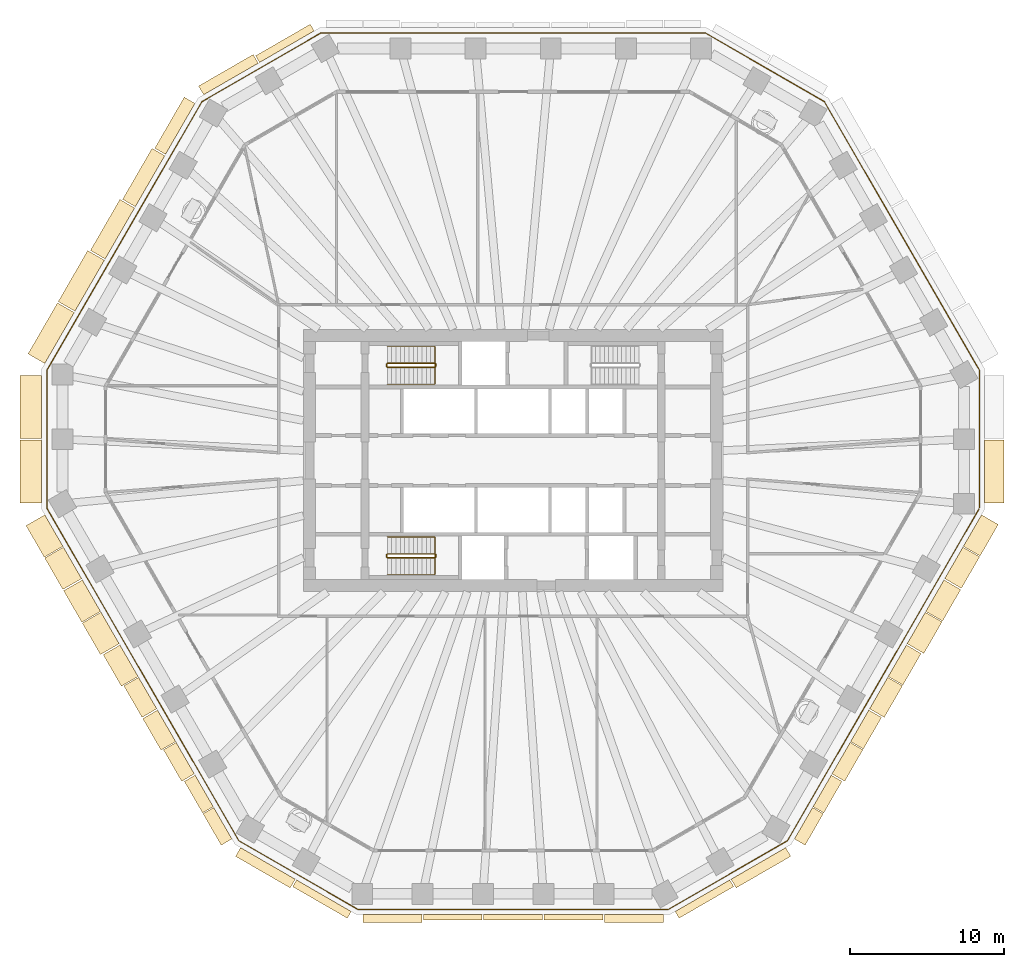
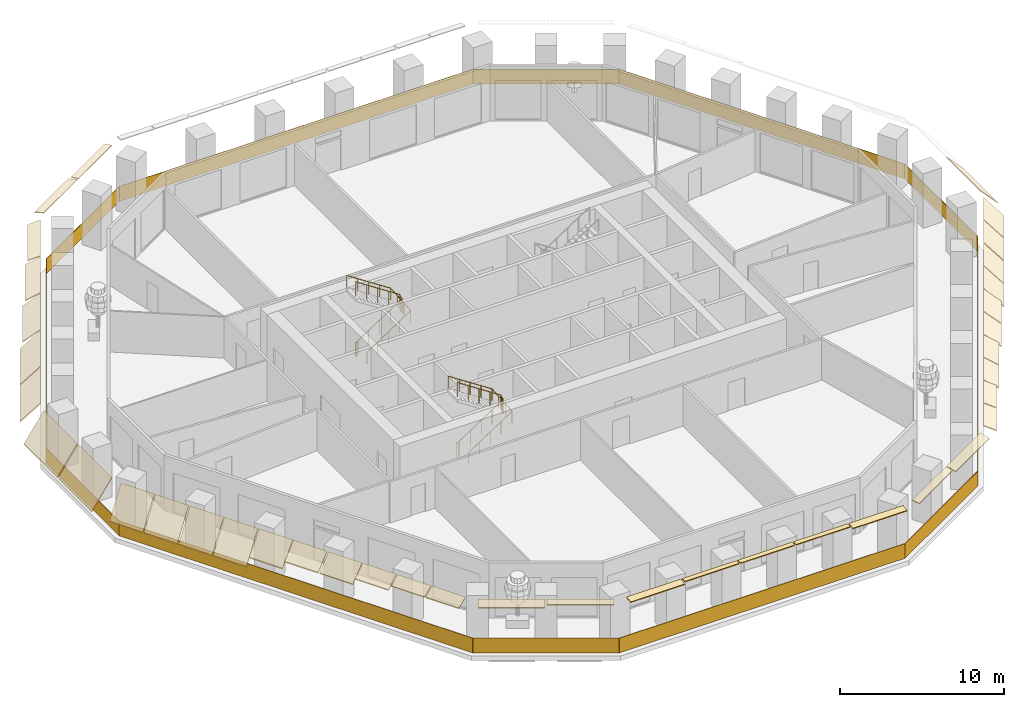
# One storey, part 9 of 12: 39 coverings, 5 railings.
"""IFC4 building model written with IfcOpenShell, lengths in metres."""

from ifc_helpers import new_model, si_unit, direction, frame, origin, origin_2d, place, context, subcontext, project, spatial, polyline, rectangle, circle, outline, extrude, material, layer, layer_set, type_object, element, save


model = new_model("IFC4")

# Units and contexts
model_context = context("Model", 3, precision=1e-05, world=origin(), true_north=direction((0.0, 1.0)))
body_context = subcontext(model_context, "Body", "Model", "MODEL_VIEW")
ifc_project = project(units=[si_unit("LENGTHUNIT", "METRE"), si_unit("AREAUNIT", "SQUARE_METRE"), si_unit("VOLUMEUNIT", "CUBIC_METRE"), si_unit("PLANEANGLEUNIT", "RADIAN"), si_unit("MASSUNIT", "GRAM", prefix="KILO")], contexts=[model_context])

# Site, building, storey
site_placement = place(None, origin())
site = spatial("IfcSite", under=ifc_project, at=site_placement, CompositionType="ELEMENT")
building_placement = place(site_placement, origin())
building = spatial("IfcBuilding", under=site, at=building_placement, Name="Frailejon Research Tower", CompositionType="ELEMENT")
storey_placement = place(building_placement, frame((0.0, 0.0, 130.800048828125)))
storey = spatial("IfcBuildingStorey", under=building, at=storey_placement, Name="L28", CompositionType="ELEMENT", Elevation=130.800048828125)

# Coverings
ifc_material_1 = material(Name="Precast concrete C50/60", Category="concrete")
ifc_layer_1 = layer(ifc_material_1, 0.06005859375)
ifc_layer_set_1 = layer_set([ifc_layer_1], Name="Brim blade depth 1100")
covering_type_1 = type_object("IfcCoveringType", Name="Brim blade depth 1100", PredefinedType="CLADDING", material=ifc_layer_set_1)
covering_1_placement = place(storey_placement, frame((-26.442626953125, 13.0654296875, 4.25), z_axis=(0.500001217064, 0.866024701111, 0.0), x_axis=(-0.866024701111, 0.500001217064, 0.0)))
element("IfcCovering", 1, at=covering_1_placement, inside=storey, type_object=covering_type_1, Name="Brim blade L28", PredefinedType="CLADDING", context=body_context, shape_type="SweptSolid", body=[
    extrude(outline(polyline([(0.0, -0.078369140625), (1.10009765625, -1.001220703125), (1.10009765625, -0.923095703125), (0.0, 0.0), (0.0, -0.078369140625)])), origin(), (0.0, 0.0, 1.0), 3.8125),
])
for number, where, z_axis, x_axis, name in (
    (2, (-23.099365234375, -16.0908203125, 4.25), (-0.50000563012, 0.866022153209, 0.0), (-0.866022153209, -0.50000563012, 0.0), "Brim blade L28"),
    (3, (-21.87158203125, -18.217041015625, 4.25), (-0.499996739973, 0.866027285954, 0.0), (-0.866027285954, -0.499996739973, 0.0), "Brim blade L28"),
    (4, (24.277099609375, -14.051025390625, 4.25), (-0.50000563012, -0.866022153209, 0.0), (0.866022153209, -0.50000563012, 0.0), "Brim blade L28"),
    (5, (25.484619140625, -11.959228515625, 4.25), (-0.50000563012, -0.866022153209, 0.0), (0.866022153209, -0.50000563012, 0.0), "Brim blade L28"),
):
    element("IfcCovering", number, at=place(storey_placement, frame(where, z_axis=z_axis, x_axis=x_axis)), inside=storey, type_object=covering_type_1, Name=name, PredefinedType="CLADDING", context=body_context, shape_type="SweptSolid", body=[
        extrude(outline(polyline([(0.0, -0.078369140625), (1.10009765625, -1.001220703125), (1.10009765625, -0.923095703125), (0.0, 0.0), (0.0, -0.078369140625)])), origin(), (0.0, 0.0, 1.0), 2.355224609375),
    ])
ifc_material_2 = material(Name="Precast concrete C50/60", Category="concrete")
ifc_layer_2 = layer(ifc_material_2, 0.06005859375)
ifc_layer_set_2 = layer_set([ifc_layer_2], Name="Brim blade depth 1250")
covering_type_2 = type_object("IfcCoveringType", Name="Brim blade depth 1250", PredefinedType="CLADDING", material=ifc_layer_set_2)
covering_2_placement = place(storey_placement, frame((30.56103515625, 1.332763671875, 4.25), z_axis=(0.0, -1.0, 0.0), x_axis=(1.0, 0.0, 0.0)))
element("IfcCovering", 6, at=covering_2_placement, inside=storey, type_object=covering_type_2, Name="Brim blade L28", PredefinedType="CLADDING", context=body_context, shape_type="SweptSolid", body=[
    extrude(outline(polyline([(0.0, -0.0888671875), (1.25, -1.452880859375), (1.25, -1.364013671875), (0.0, 0.0), (0.0, -0.0888671875)])), origin(), (0.0, 0.0, 1.0), 4.087646484375),
])
covering_3_placement = place(storey_placement, frame((-28.39892578125, 9.677001953125, 4.25), z_axis=(0.499990149831, 0.866031090707, 0.0), x_axis=(-0.866031090707, 0.499990149831, 0.0)))
element("IfcCovering", 7, at=covering_3_placement, inside=storey, type_object=covering_type_2, Name="Brim blade L28", PredefinedType="CLADDING", context=body_context, shape_type="SweptSolid", body=[
    extrude(outline(polyline([(0.0, -0.0888671875), (1.25, -1.452880859375), (1.25, -1.364013671875), (0.0, 0.0), (0.0, -0.0888671875)])), origin(), (0.0, 0.0, 1.0), 3.812744140625),
])
covering_4_placement = place(storey_placement, frame((-30.355224609375, 6.28857421875, 4.25), z_axis=(0.500001217064, 0.866024701111, 0.0), x_axis=(-0.866024701111, 0.500001217064, 0.0)))
element("IfcCovering", 8, at=covering_4_placement, inside=storey, type_object=covering_type_2, Name="Brim blade L28", PredefinedType="CLADDING", context=body_context, shape_type="SweptSolid", body=[
    extrude(outline(polyline([(0.0, -0.0888671875), (1.25, -1.452880859375), (1.25, -1.364013671875), (0.0, 0.0), (0.0, -0.0888671875)])), origin(), (0.0, 0.0, 1.0), 3.8125),
])
for number, where, z_axis, x_axis, name in (
    (9, (-24.306884765625, -13.9990234375, 4.25), (-0.50000563012, 0.866022153209, 0.0), (-0.866022153209, -0.50000563012, 0.0), "Brim blade L28"),
    (10, (26.71240234375, -9.8330078125, 4.25), (-0.499996739973, -0.866027285954, 0.0), (0.866027285954, -0.499996739973, 0.0), "Brim blade L28"),
    (11, (27.919921875, -7.7412109375, 4.25), (-0.499996739973, -0.866027285954, 0.0), (0.866027285954, -0.499996739973, 0.0), "Brim blade L28"),
    (12, (29.147705078125, -5.61474609375, 4.25), (-0.499996739973, -0.866027285954, 0.0), (0.866027285954, -0.499996739973, 0.0), "Brim blade L28"),
    (13, (30.355224609375, -3.523193359375, 4.25), (-0.499996739973, -0.866027285954, 0.0), (0.866027285954, -0.499996739973, 0.0), "Brim blade L28"),
):
    element("IfcCovering", number, at=place(storey_placement, frame(where, z_axis=z_axis, x_axis=x_axis)), inside=storey, type_object=covering_type_2, Name=name, PredefinedType="CLADDING", context=body_context, shape_type="SweptSolid", body=[
        extrude(outline(polyline([(0.0, -0.0888671875), (1.25, -1.452880859375), (1.25, -1.364013671875), (0.0, 0.0), (0.0, -0.0888671875)])), origin(), (0.0, 0.0, 1.0), 2.355224609375),
    ])
ifc_material_3 = material(Name="Precast concrete C50/60", Category="concrete")
ifc_layer_3 = layer(ifc_material_3, 0.06005859375)
ifc_layer_set_3 = layer_set([ifc_layer_3], Name="Brim blade depth 1400")
covering_type_3 = type_object("IfcCoveringType", Name="Brim blade depth 1400", PredefinedType="CLADDING", material=ifc_layer_set_3)
covering_5_placement = place(storey_placement, frame((-30.56103515625, 1.432861328125, 4.25), z_axis=(0.0, 1.0, 0.0), x_axis=(-1.0, 0.0, 0.0)))
element("IfcCovering", 14, at=covering_5_placement, inside=storey, type_object=covering_type_3, Name="Brim blade L28", PredefinedType="CLADDING", context=body_context, shape_type="SweptSolid", body=[
    extrude(outline(polyline([(0.0, -0.1044921875), (1.39990234375, -2.10400390625), (1.39990234375, -1.99951171875), (0.0, 0.0), (0.0, -0.1044921875)])), origin(), (0.0, 0.0, 1.0), 4.08740234375),
])
covering_6_placement = place(storey_placement, frame((-30.56103515625, -2.7548828125, 4.25), z_axis=(0.0, 1.0, 0.0), x_axis=(-1.0, 0.0, 0.0)))
element("IfcCovering", 15, at=covering_6_placement, inside=storey, type_object=covering_type_3, Name="Brim blade L28", PredefinedType="CLADDING", context=body_context, shape_type="SweptSolid", body=[
    extrude(outline(polyline([(0.0, -0.1044921875), (1.39990234375, -2.10400390625), (1.39990234375, -1.99951171875), (0.0, 0.0), (0.0, -0.1044921875)])), origin(), (0.0, 0.0, 1.0), 4.087646484375),
])
for number, where, z_axis, x_axis, name in (
    (16, (-29.177490234375, -5.56298828125, 4.25), (-0.499996739973, 0.866027285954, 0.0), (-0.866027285954, -0.499996739973, 0.0), "Brim blade L28"),
    (17, (-27.969970703125, -7.654541015625, 4.25), (-0.499996739973, 0.866027285954, 0.0), (-0.866027285954, -0.499996739973, 0.0), "Brim blade L28"),
    (18, (-26.7421875, -9.781005859375, 4.25), (-0.499996739973, 0.866027285954, 0.0), (-0.866027285954, -0.499996739973, 0.0), "Brim blade L28"),
    (19, (-25.53466796875, -11.872802734375, 4.25), (-0.499996739973, 0.866027285954, 0.0), (-0.866027285954, -0.499996739973, 0.0), "Brim blade L28"),
):
    element("IfcCovering", number, at=place(storey_placement, frame(where, z_axis=z_axis, x_axis=x_axis)), inside=storey, type_object=covering_type_3, Name=name, PredefinedType="CLADDING", context=body_context, shape_type="SweptSolid", body=[
        extrude(outline(polyline([(0.0, -0.1044921875), (1.39990234375, -2.10400390625), (1.39990234375, -1.99951171875), (0.0, 0.0), (0.0, -0.1044921875)])), origin(), (0.0, 0.0, 1.0), 2.355224609375),
    ])
ifc_material_4 = material(Name="Precast concrete C50/60", Category="concrete")
ifc_layer_4 = layer(ifc_material_4, 0.06005859375)
ifc_layer_set_4 = layer_set([ifc_layer_4], Name="Brim blade depth 350")
covering_type_4 = type_object("IfcCoveringType", Name="Brim blade depth 350", PredefinedType="CLADDING", material=ifc_layer_set_4)
for number, where, z_axis, x_axis, name in (
    (20, (-2.00634765625, -29.432861328125, 4.25), (-1.0, 0.0, 0.0), (0.0, -1.0, 0.0), "Brim blade L28"),
    (21, (1.90625, -29.432861328125, 4.25), (-1.0, 0.0, 0.0), (0.0, -1.0, 0.0), "Brim blade L28"),
    (22, (5.81884765625, -29.432861328125, 4.25), (-1.0, 0.0, 0.0), (0.0, -1.0, 0.0), "Brim blade L28"),
):
    element("IfcCovering", number, at=place(storey_placement, frame(where, z_axis=z_axis, x_axis=x_axis)), inside=storey, type_object=covering_type_4, Name=name, PredefinedType="CLADDING", context=body_context, shape_type="SweptSolid", body=[
        extrude(outline(polyline([(0.0, -0.06005859375), (0.35009765625, -0.06005859375), (0.35009765625, 0.0), (0.0, 0.0), (0.0, -0.06005859375)])), origin(), (0.0, 0.0, 1.0), 3.8125),
    ])
ifc_material_5 = material(Name="Precast concrete C50/60", Category="concrete")
ifc_layer_5 = layer(ifc_material_5, 0.06005859375)
ifc_layer_set_5 = layer_set([ifc_layer_5], Name="Brim blade depth 500")
covering_type_5 = type_object("IfcCoveringType", Name="Brim blade depth 500", PredefinedType="CLADDING", material=ifc_layer_set_5)
for number, where, z_axis, x_axis, name in (
    (23, (-16.434814453125, 25.80029296875, 4.25), (0.866027315287, 0.499996689166, 0.0), (-0.499996689166, 0.866027315287, 0.0), "Brim blade L28"),
    (24, (-10.499755859375, -29.226806640625, 4.25), (-0.866027315287, 0.499996689166, 0.0), (-0.499996689166, -0.866027315287, 0.0), "Brim blade L28"),
):
    element("IfcCovering", number, at=place(storey_placement, frame(where, z_axis=z_axis, x_axis=x_axis)), inside=storey, type_object=covering_type_5, Name=name, PredefinedType="CLADDING", context=body_context, shape_type="SweptSolid", body=[
        extrude(outline(polyline([(0.0, -0.060546875), (0.5, -0.130859375), (0.5, -0.0703125), (0.0, 0.0), (0.0, -0.060546875)])), origin(), (0.0, 0.0, 1.0), 4.087646484375),
    ])
for number, where, z_axis, x_axis, name in (
    (25, (-5.9189453125, -29.432861328125, 4.25), (-1.0, 0.0, 0.0), (0.0, -1.0, 0.0), "Brim blade L28"),
    (26, (9.7314453125, -29.432861328125, 4.25), (-1.0, 0.0, 0.0), (0.0, -1.0, 0.0), "Brim blade L28"),
):
    element("IfcCovering", number, at=place(storey_placement, frame(where, z_axis=z_axis, x_axis=x_axis)), inside=storey, type_object=covering_type_5, Name=name, PredefinedType="CLADDING", context=body_context, shape_type="SweptSolid", body=[
        extrude(outline(polyline([(0.0, -0.060546875), (0.5, -0.130859375), (0.5, -0.0703125), (0.0, 0.0), (0.0, -0.060546875)])), origin(), (0.0, 0.0, 1.0), 3.8125),
    ])
covering_7_placement = place(storey_placement, frame((14.039794921875, -27.18310546875, 4.25), z_axis=(-0.866027315287, -0.499996689166, 0.0), x_axis=(0.499996689166, -0.866027315287, 0.0)))
element("IfcCovering", 27, at=covering_7_placement, inside=storey, type_object=covering_type_5, Name="Brim blade L28", PredefinedType="CLADDING", context=body_context, shape_type="SweptSolid", body=[
    extrude(outline(polyline([(0.0, -0.060546875), (0.5, -0.130859375), (0.5, -0.0703125), (0.0, 0.0), (0.0, -0.060546875)])), origin(), (0.0, 0.0, 1.0), 4.087646484375),
])
ifc_material_6 = material(Name="Precast concrete C50/60", Category="concrete")
ifc_layer_6 = layer(ifc_material_6, 0.06005859375)
ifc_layer_set_6 = layer_set([ifc_layer_6], Name="Brim blade depth 650")
covering_type_6 = type_object("IfcCoveringType", Name="Brim blade depth 650", PredefinedType="CLADDING", material=ifc_layer_set_6)
for number, where, z_axis, x_axis, name in (
    (28, (-20.061279296875, 23.70654296875, 4.25), (0.866021344981, 0.500007029989, 0.0), (-0.500007029989, 0.866021344981, 0.0), "Brim blade L28"),
    (29, (-14.12646484375, -27.133056640625, 4.25), (-0.866021344981, 0.500007029989, 0.0), (-0.500007029989, -0.866021344981, 0.0), "Brim blade L28"),
    (30, (17.666259765625, -25.08935546875, 4.25), (-0.866021344981, -0.500007029989, 0.0), (0.500007029989, -0.866021344981, 0.0), "Brim blade L28"),
):
    element("IfcCovering", number, at=place(storey_placement, frame(where, z_axis=z_axis, x_axis=x_axis)), inside=storey, type_object=covering_type_6, Name=name, PredefinedType="CLADDING", context=body_context, shape_type="SweptSolid", body=[
        extrude(outline(polyline([(0.0, -0.0625), (0.64990234375, -0.248779296875), (0.64990234375, -0.186279296875), (0.0, 0.0), (0.0, -0.0625)])), origin(), (0.0, 0.0, 1.0), 4.08740234375),
    ])
ifc_material_7 = material(Name="Precast concrete C50/60", Category="concrete")
ifc_layer_7 = layer(ifc_material_7, 0.06005859375)
ifc_layer_set_7 = layer_set([ifc_layer_7], Name="Brim blade depth 800")
covering_type_7 = type_object("IfcCoveringType", Name="Brim blade depth 800", PredefinedType="CLADDING", material=ifc_layer_set_7)
covering_8_placement = place(storey_placement, frame((-22.530029296875, 19.84228515625, 4.25), z_axis=(0.500001217064, 0.866024701111, 0.0), x_axis=(-0.866024701111, 0.500001217064, 0.0)))
element("IfcCovering", 31, at=covering_8_placement, inside=storey, type_object=covering_type_7, Name="Brim blade L28", PredefinedType="CLADDING", context=body_context, shape_type="SweptSolid", body=[
    extrude(outline(polyline([(0.0, -0.065673828125), (0.800048828125, -0.421875), (0.800048828125, -0.356201171875), (0.0, 0.0), (0.0, -0.065673828125)])), origin(), (0.0, 0.0, 1.0), 3.8125),
])
for number, where, z_axis, x_axis, name in (
    (32, (-19.436279296875, -22.435302734375, 4.25), (-0.499996739973, 0.866027285954, 0.0), (-0.866027285954, -0.499996739973, 0.0), "Brim blade L28"),
    (33, (-18.228759765625, -24.52685546875, 4.25), (-0.499996739973, 0.866027285954, 0.0), (-0.866027285954, -0.499996739973, 0.0), "Brim blade L28"),
    (34, (19.406494140625, -22.487060546875, 4.25), (-0.499996739973, -0.866027285954, 0.0), (0.866027285954, -0.499996739973, 0.0), "Brim blade L28"),
    (35, (20.614013671875, -20.3955078125, 4.25), (-0.499996739973, -0.866027285954, 0.0), (0.866027285954, -0.499996739973, 0.0), "Brim blade L28"),
):
    element("IfcCovering", number, at=place(storey_placement, frame(where, z_axis=z_axis, x_axis=x_axis)), inside=storey, type_object=covering_type_7, Name=name, PredefinedType="CLADDING", context=body_context, shape_type="SweptSolid", body=[
        extrude(outline(polyline([(0.0, -0.065673828125), (0.800048828125, -0.421875), (0.800048828125, -0.356201171875), (0.0, 0.0), (0.0, -0.065673828125)])), origin(), (0.0, 0.0, 1.0), 2.355224609375),
    ])
ifc_material_8 = material(Name="Precast concrete C50/60", Category="concrete")
ifc_layer_8 = layer(ifc_material_8, 0.06005859375)
ifc_layer_set_8 = layer_set([ifc_layer_8], Name="Brim blade depth 950")
covering_type_8 = type_object("IfcCoveringType", Name="Brim blade depth 950", PredefinedType="CLADDING", material=ifc_layer_set_8)
covering_9_placement = place(storey_placement, frame((-24.486328125, 16.453857421875, 4.25), z_axis=(0.500001217064, 0.866024701111, 0.0), x_axis=(-0.866024701111, 0.500001217064, 0.0)))
element("IfcCovering", 36, at=covering_9_placement, inside=storey, type_object=covering_type_8, Name="Brim blade L28", PredefinedType="CLADDING", context=body_context, shape_type="SweptSolid", body=[
    extrude(outline(polyline([(0.0, -0.07080078125), (0.949951171875, -0.664306640625), (0.949951171875, -0.593505859375), (0.0, 0.0), (0.0, -0.07080078125)])), origin(), (0.0, 0.0, 1.0), 3.8125),
])
for number, where, z_axis, x_axis, name in (
    (37, (-20.6640625, -20.308837890625, 4.25), (-0.499996739973, 0.866027285954, 0.0), (-0.866027285954, -0.499996739973, 0.0), "Brim blade L28"),
    (38, (21.841796875, -18.26904296875, 4.25), (-0.499996739973, -0.866027285954, 0.0), (0.866027285954, -0.499996739973, 0.0), "Brim blade L28"),
    (39, (23.04931640625, -16.17724609375, 4.25), (-0.499996739973, -0.866027285954, 0.0), (0.866027285954, -0.499996739973, 0.0), "Brim blade L28"),
):
    element("IfcCovering", number, at=place(storey_placement, frame(where, z_axis=z_axis, x_axis=x_axis)), inside=storey, type_object=covering_type_8, Name=name, PredefinedType="CLADDING", context=body_context, shape_type="SweptSolid", body=[
        extrude(outline(polyline([(0.0, -0.07080078125), (0.949951171875, -0.664306640625), (0.949951171875, -0.593505859375), (0.0, 0.0), (0.0, -0.07080078125)])), origin(), (0.0, 0.0, 1.0), 2.355224609375),
    ])

# Railings
ifc_material_9 = material(Name="Laminated glass balustrade", Category="glass")
railing_type_1 = type_object("IfcRailingType", Name="Glass guard 1100", PredefinedType="GUARDRAIL", material=ifc_material_9)
railing_1_placement = place(storey_placement, frame((30.225830078125, -3.07666015625, 0.0)))
element("IfcRailing", 40, at=railing_1_placement, inside=storey, type_object=railing_type_1, Name="Loggia guard L28", PredefinedType="GUARDRAIL", context=body_context, shape_type="SweptSolid", body=[
    extrude(rectangle(XDim=8.9189453125, YDim=0.030029296875, at=origin_2d()), frame((0.0, 4.45947265625, 0.0), z_axis=(0.0, 0.0, 1.0), x_axis=(0.0, 1.0, 0.0)), (0.0, 0.0, 1.0), 1.10009765625),
    extrude(rectangle(XDim=20.10693359375, YDim=0.030029296875, at=origin_2d()), frame((-5.02685546875, 17.62548828125, 0.0), z_axis=(0.0, 0.0, 1.0), x_axis=(-0.500000632, 0.866025038898, 0.0)), (0.0, 0.0, 1.0), 1.10009765625),
    extrude(rectangle(XDim=8.918701171875, YDim=0.030029296875, at=origin_2d()), frame((-13.91552734375, 28.5615234375, 0.0), z_axis=(0.0, 0.0, 1.0), x_axis=(-0.866032876802, 0.49998705613, 0.0)), (0.0, 0.0, 1.0), 1.10009765625),
    extrude(rectangle(XDim=24.89697265625, YDim=0.030029296875, at=origin_2d()), frame((-30.225830078125, 30.791259765625, 0.0), z_axis=(0.0, 0.0, 1.0), x_axis=(-1.0, 0.0, 0.0)), (0.0, 0.0, 1.0), 1.10009765625),
    extrude(rectangle(XDim=8.918701171875, YDim=0.030029296875, at=origin_2d()), frame((-46.5361328125, 28.5615234375, 0.0), z_axis=(0.0, 0.0, 1.0), x_axis=(-0.866032876802, -0.49998705613, 0.0)), (0.0, 0.0, 1.0), 1.10009765625),
    extrude(rectangle(XDim=20.10693359375, YDim=0.030029296875, at=origin_2d()), frame((-55.4248046875, 17.62548828125, 0.0), z_axis=(0.0, 0.0, 1.0), x_axis=(-0.500000632, -0.866025038898, 0.0)), (0.0, 0.0, 1.0), 1.10009765625),
    extrude(rectangle(XDim=8.9189453125, YDim=0.030029296875, at=origin_2d()), frame((-60.45166015625, 4.45947265625, 0.0), z_axis=(0.0, 0.0, 1.0), x_axis=(0.0, -1.0, 0.0)), (0.0, 0.0, 1.0), 1.10009765625),
    extrude(rectangle(XDim=24.89697265625, YDim=0.030029296875, at=origin_2d()), frame((-54.2275390625, -10.78076171875, 0.0), z_axis=(0.0, 0.0, 1.0), x_axis=(0.500002287094, -0.866024083326, 0.0)), (0.0, 0.0, 1.0), 1.10009765625),
    extrude(rectangle(XDim=8.918701171875, YDim=0.030029296875, at=origin_2d()), frame((-44.14111328125, -23.791015625, 0.0), z_axis=(0.0, 0.0, 1.0), x_axis=(0.866021023613, -0.500007586602, 0.0)), (0.0, 0.0, 1.0), 1.10009765625),
    extrude(rectangle(XDim=20.10693359375, YDim=0.030029296875, at=origin_2d()), frame((-30.225830078125, -26.020751953125, 0.0), z_axis=(0.0, 0.0, 1.0), x_axis=(1.0, 0.0, 0.0)), (0.0, 0.0, 1.0), 1.10009765625),
    extrude(rectangle(XDim=8.918701171875, YDim=0.030029296875, at=origin_2d()), frame((-16.310546875, -23.791015625, 0.0), z_axis=(0.0, 0.0, 1.0), x_axis=(0.866021023613, 0.500007586602, 0.0)), (0.0, 0.0, 1.0), 1.10009765625),
    extrude(rectangle(XDim=24.826904296875, YDim=0.030029296875, at=origin_2d()), frame((-6.24169921875, -10.81103515625, 0.0), z_axis=(0.0, 0.0, 1.0), x_axis=(0.500003642221, 0.866023300937, 0.0)), (0.0, 0.0, 1.0), 1.10009765625),
])
ifc_material_10 = material(Name="Stainless steel", Category="steel")
railing_type_2 = type_object("IfcRailingType", Name="Stair guard 1100", PredefinedType="GUARDRAIL", material=ifc_material_10)
railing_2_placement = place(storey_placement, frame((-8.199951171875, 6.25, 0.0)))
element("IfcRailing", 41, at=railing_2_placement, inside=storey, type_object=railing_type_2, Name="L28 ST1 stair guard 1", PredefinedType="GUARDRAIL", context=body_context, shape_type="SweptSolid", body=[
    extrude(circle(Radius=0.02392578125, at=origin_2d()), frame((0.0, 0.0, 1.076171875), z_axis=(0.0, -1.0, 0.0), x_axis=(1.0, 0.0, 0.0)), (0.0, 0.0, 1.0), 0.14990234375),
    extrude(circle(Radius=0.02392578125, at=origin_2d()), frame((0.0, -0.14990234375, 1.076171875), z_axis=(0.254653276557, -0.254653276557, 0.932900539971), x_axis=(0.707106781187, 0.707106781187, 0.0)), (0.0, 0.0, 1.0), 0.196533203125),
    extrude(circle(Radius=0.02392578125, at=origin_2d()), frame((0.050048828125, -0.199951171875, 1.25927734375), z_axis=(0.836613101238, 0.0, 0.547794230379), x_axis=(0.0, 1.0, 0.0)), (0.0, 0.0, 1.0), 3.681396484375),
    extrude(circle(Radius=0.02392578125, at=origin_2d()), frame((3.1298828125, -0.199951171875, 3.27587890625), z_axis=(0.707106781187, 0.707106781187, 0.0), x_axis=(-0.707106781187, 0.707106781187, 0.0)), (0.0, 0.0, 1.0), 0.07080078125),
    extrude(circle(Radius=0.02392578125, at=origin_2d()), frame((3.179931640625, -0.14990234375, 3.27587890625), z_axis=(0.0, 1.0, 0.0), x_axis=(-1.0, 0.0, 0.0)), (0.0, 0.0, 1.0), 0.14990234375),
    extrude(circle(Radius=0.02392578125, at=origin_2d()), frame((3.179931640625, 0.0, 3.27587890625), z_axis=(-0.254653276557, 0.254653276557, 0.932900539971), x_axis=(-0.707106781187, -0.707106781187, 0.0)), (0.0, 0.0, 1.0), 0.196533203125),
    extrude(circle(Radius=0.02392578125, at=origin_2d()), frame((3.1298828125, 0.050048828125, 3.45947265625), z_axis=(-0.836613101238, 0.0, 0.547794230379), x_axis=(0.0, -1.0, 0.0)), (0.0, 0.0, 1.0), 3.681396484375),
    extrude(circle(Radius=0.02099609375, at=origin_2d()), origin(), (0.0, 0.0, 1.0), 1.052001953125),
    extrude(circle(Radius=0.02099609375, at=origin_2d()), frame((0.0, -0.14990234375, 0.0)), (0.0, 0.0, 1.0), 1.052001953125),
    extrude(circle(Radius=0.02099609375, at=origin_2d()), frame((0.050048828125, -0.199951171875, 0.183349609375)), (0.0, 0.0, 1.0), 1.052001953125),
    extrude(circle(Radius=0.02099609375, at=origin_2d()), frame((0.820068359375, -0.199951171875, 0.6875)), (0.0, 0.0, 1.0), 1.052001953125),
    extrude(circle(Radius=0.02099609375, at=origin_2d()), frame((1.58984375, -0.199951171875, 1.191650390625)), (0.0, 0.0, 1.0), 1.052001953125),
    extrude(circle(Radius=0.02099609375, at=origin_2d()), frame((2.35986328125, -0.199951171875, 1.69580078125)), (0.0, 0.0, 1.0), 1.052001953125),
    extrude(circle(Radius=0.02099609375, at=origin_2d()), frame((3.1298828125, -0.199951171875, 2.199951171875)), (0.0, 0.0, 1.0), 1.052001953125),
    extrude(circle(Radius=0.02099609375, at=origin_2d()), frame((3.179931640625, -0.14990234375, 2.199951171875)), (0.0, 0.0, 1.0), 1.052001953125),
    extrude(circle(Radius=0.02099609375, at=origin_2d()), frame((3.179931640625, 0.0, 2.199951171875)), (0.0, 0.0, 1.0), 1.052001953125),
    extrude(circle(Radius=0.02099609375, at=origin_2d()), frame((3.1298828125, 0.050048828125, 2.38330078125)), (0.0, 0.0, 1.0), 1.052001953125),
    extrude(circle(Radius=0.02099609375, at=origin_2d()), frame((2.35986328125, 0.050048828125, 2.887451171875)), (0.0, 0.0, 1.0), 1.052001953125),
    extrude(circle(Radius=0.02099609375, at=origin_2d()), frame((1.58984375, 0.050048828125, 3.3916015625)), (0.0, 0.0, 1.0), 1.052001953125),
    extrude(circle(Radius=0.02099609375, at=origin_2d()), frame((0.820068359375, 0.050048828125, 3.895751953125)), (0.0, 0.0, 1.0), 1.052001953125),
    extrude(circle(Radius=0.02099609375, at=origin_2d()), frame((0.050048828125, 0.050048828125, 4.39990234375)), (0.0, 0.0, 1.0), 1.052001953125),
])
railing_3_placement = place(storey_placement, frame((-8.199951171875, -6.10009765625, 0.0)))
element("IfcRailing", 42, at=railing_3_placement, inside=storey, type_object=railing_type_2, Name="L28 ST2 stair guard 1", PredefinedType="GUARDRAIL", context=body_context, shape_type="SweptSolid", body=[
    extrude(circle(Radius=0.02392578125, at=origin_2d()), frame((0.0, 0.0, 1.076171875), z_axis=(0.0, -1.0, 0.0), x_axis=(1.0, 0.0, 0.0)), (0.0, 0.0, 1.0), 0.14990234375),
    extrude(circle(Radius=0.02392578125, at=origin_2d()), frame((0.0, -0.14990234375, 1.076171875), z_axis=(0.254653276557, -0.254653276557, 0.932900539971), x_axis=(0.707106781187, 0.707106781187, 0.0)), (0.0, 0.0, 1.0), 0.196533203125),
    extrude(circle(Radius=0.02392578125, at=origin_2d()), frame((0.050048828125, -0.199951171875, 1.25927734375), z_axis=(0.836613101238, 0.0, 0.547794230379), x_axis=(0.0, 1.0, 0.0)), (0.0, 0.0, 1.0), 3.681396484375),
    extrude(circle(Radius=0.02392578125, at=origin_2d()), frame((3.1298828125, -0.199951171875, 3.27587890625), z_axis=(0.707106781187, 0.707106781187, 0.0), x_axis=(-0.707106781187, 0.707106781187, 0.0)), (0.0, 0.0, 1.0), 0.07080078125),
    extrude(circle(Radius=0.02392578125, at=origin_2d()), frame((3.179931640625, -0.14990234375, 3.27587890625), z_axis=(0.0, 1.0, 0.0), x_axis=(-1.0, 0.0, 0.0)), (0.0, 0.0, 1.0), 0.14990234375),
    extrude(circle(Radius=0.02392578125, at=origin_2d()), frame((3.179931640625, 0.0, 3.27587890625), z_axis=(-0.254653276557, 0.254653276557, 0.932900539971), x_axis=(-0.707106781187, -0.707106781187, 0.0)), (0.0, 0.0, 1.0), 0.196533203125),
    extrude(circle(Radius=0.02392578125, at=origin_2d()), frame((3.1298828125, 0.050048828125, 3.45947265625), z_axis=(-0.836613101238, 0.0, 0.547794230379), x_axis=(0.0, -1.0, 0.0)), (0.0, 0.0, 1.0), 3.681396484375),
    extrude(circle(Radius=0.02099609375, at=origin_2d()), origin(), (0.0, 0.0, 1.0), 1.052001953125),
    extrude(circle(Radius=0.02099609375, at=origin_2d()), frame((0.0, -0.14990234375, 0.0)), (0.0, 0.0, 1.0), 1.052001953125),
    extrude(circle(Radius=0.02099609375, at=origin_2d()), frame((0.050048828125, -0.199951171875, 0.183349609375)), (0.0, 0.0, 1.0), 1.052001953125),
    extrude(circle(Radius=0.02099609375, at=origin_2d()), frame((0.820068359375, -0.199951171875, 0.6875)), (0.0, 0.0, 1.0), 1.052001953125),
    extrude(circle(Radius=0.02099609375, at=origin_2d()), frame((1.58984375, -0.199951171875, 1.191650390625)), (0.0, 0.0, 1.0), 1.052001953125),
    extrude(circle(Radius=0.02099609375, at=origin_2d()), frame((2.35986328125, -0.199951171875, 1.69580078125)), (0.0, 0.0, 1.0), 1.052001953125),
    extrude(circle(Radius=0.02099609375, at=origin_2d()), frame((3.1298828125, -0.199951171875, 2.199951171875)), (0.0, 0.0, 1.0), 1.052001953125),
    extrude(circle(Radius=0.02099609375, at=origin_2d()), frame((3.179931640625, -0.14990234375, 2.199951171875)), (0.0, 0.0, 1.0), 1.052001953125),
    extrude(circle(Radius=0.02099609375, at=origin_2d()), frame((3.179931640625, 0.0, 2.199951171875)), (0.0, 0.0, 1.0), 1.052001953125),
    extrude(circle(Radius=0.02099609375, at=origin_2d()), frame((3.1298828125, 0.050048828125, 2.38330078125)), (0.0, 0.0, 1.0), 1.052001953125),
    extrude(circle(Radius=0.02099609375, at=origin_2d()), frame((2.35986328125, 0.050048828125, 2.887451171875)), (0.0, 0.0, 1.0), 1.052001953125),
    extrude(circle(Radius=0.02099609375, at=origin_2d()), frame((1.58984375, 0.050048828125, 3.3916015625)), (0.0, 0.0, 1.0), 1.052001953125),
    extrude(circle(Radius=0.02099609375, at=origin_2d()), frame((0.820068359375, 0.050048828125, 3.895751953125)), (0.0, 0.0, 1.0), 1.052001953125),
    extrude(circle(Radius=0.02099609375, at=origin_2d()), frame((0.050048828125, 0.050048828125, 4.39990234375)), (0.0, 0.0, 1.0), 1.052001953125),
])
ifc_material_11 = material(Name="Stainless steel", Category="steel")
railing_type_3 = type_object("IfcRailingType", Name="Stair handrail 900", PredefinedType="HANDRAIL", material=ifc_material_11)
railing_4_placement = place(storey_placement, frame((-8.14990234375, 4.949951171875, 0.183349609375)))
element("IfcRailing", 43, at=railing_4_placement, inside=storey, type_object=railing_type_3, Name="L28 ST1 stair handrail 1", PredefinedType="HANDRAIL", context=body_context, shape_type="SweptSolid", body=[
    extrude(circle(Radius=0.02392578125, at=origin_2d()), frame((0.0, 0.0, 0.8759765625), z_axis=(0.836613101238, 0.0, 0.547794230379), x_axis=(0.0, 1.0, 0.0)), (0.0, 0.0, 1.0), 3.681396484375),
    extrude(circle(Radius=0.02392578125, at=origin_2d()), frame((3.079833984375, 0.0, 2.892578125), z_axis=(0.0, 0.99721134034, 0.074629368868), x_axis=(-1.0, 0.0, 0.0)), (0.0, 0.0, 1.0), 2.456787109375),
    extrude(circle(Radius=0.02392578125, at=origin_2d()), frame((3.079833984375, 2.449951171875, 3.07568359375), z_axis=(-0.836613101238, 0.0, 0.547794230379), x_axis=(0.0, -1.0, 0.0)), (0.0, 0.0, 1.0), 3.681396484375),
    extrude(circle(Radius=0.02099609375, at=origin_2d()), origin(), (0.0, 0.0, 1.0), 0.851806640625),
    extrude(circle(Radius=0.02099609375, at=origin_2d()), frame((0.77001953125, 0.0, 0.504150390625)), (0.0, 0.0, 1.0), 0.851806640625),
    extrude(circle(Radius=0.02099609375, at=origin_2d()), frame((1.5400390625, 0.0, 1.00830078125)), (0.0, 0.0, 1.0), 0.851806640625),
    extrude(circle(Radius=0.02099609375, at=origin_2d()), frame((2.309814453125, 0.0, 1.512451171875)), (0.0, 0.0, 1.0), 0.851806640625),
    extrude(circle(Radius=0.02099609375, at=origin_2d()), frame((3.079833984375, 0.0, 2.0166015625)), (0.0, 0.0, 1.0), 0.851806640625),
    extrude(circle(Radius=0.02099609375, at=origin_2d()), frame((3.079833984375, 0.816650390625, 2.07763671875)), (0.0, 0.0, 1.0), 0.851806640625),
    extrude(circle(Radius=0.02099609375, at=origin_2d()), frame((3.079833984375, 1.63330078125, 2.138916015625)), (0.0, 0.0, 1.0), 0.851806640625),
    extrude(circle(Radius=0.02099609375, at=origin_2d()), frame((3.079833984375, 2.449951171875, 2.199951171875)), (0.0, 0.0, 1.0), 0.851806640625),
    extrude(circle(Radius=0.02099609375, at=origin_2d()), frame((2.309814453125, 2.449951171875, 2.7041015625)), (0.0, 0.0, 1.0), 0.851806640625),
    extrude(circle(Radius=0.02099609375, at=origin_2d()), frame((1.5400390625, 2.449951171875, 3.208251953125)), (0.0, 0.0, 1.0), 0.851806640625),
    extrude(circle(Radius=0.02099609375, at=origin_2d()), frame((0.77001953125, 2.449951171875, 3.71240234375)), (0.0, 0.0, 1.0), 0.851806640625),
    extrude(circle(Radius=0.02099609375, at=origin_2d()), frame((0.0, 2.449951171875, 4.216552734375)), (0.0, 0.0, 1.0), 0.851806640625),
])
railing_5_placement = place(storey_placement, frame((-8.14990234375, -7.39990234375, 0.183349609375)))
element("IfcRailing", 44, at=railing_5_placement, inside=storey, type_object=railing_type_3, Name="L28 ST2 stair handrail 1", PredefinedType="HANDRAIL", context=body_context, shape_type="SweptSolid", body=[
    extrude(circle(Radius=0.02392578125, at=origin_2d()), frame((0.0, 0.0, 0.8759765625), z_axis=(0.836613101238, 0.0, 0.547794230379), x_axis=(0.0, 1.0, 0.0)), (0.0, 0.0, 1.0), 3.681396484375),
    extrude(circle(Radius=0.02392578125, at=origin_2d()), frame((3.079833984375, 0.0, 2.892578125), z_axis=(0.0, 0.99721134034, 0.074629368868), x_axis=(-1.0, 0.0, 0.0)), (0.0, 0.0, 1.0), 2.456787109375),
    extrude(circle(Radius=0.02392578125, at=origin_2d()), frame((3.079833984375, 2.449951171875, 3.07568359375), z_axis=(-0.836613101238, 0.0, 0.547794230379), x_axis=(0.0, -1.0, 0.0)), (0.0, 0.0, 1.0), 3.681396484375),
    extrude(circle(Radius=0.02099609375, at=origin_2d()), origin(), (0.0, 0.0, 1.0), 0.851806640625),
    extrude(circle(Radius=0.02099609375, at=origin_2d()), frame((0.77001953125, 0.0, 0.504150390625)), (0.0, 0.0, 1.0), 0.851806640625),
    extrude(circle(Radius=0.02099609375, at=origin_2d()), frame((1.5400390625, 0.0, 1.00830078125)), (0.0, 0.0, 1.0), 0.851806640625),
    extrude(circle(Radius=0.02099609375, at=origin_2d()), frame((2.309814453125, 0.0, 1.512451171875)), (0.0, 0.0, 1.0), 0.851806640625),
    extrude(circle(Radius=0.02099609375, at=origin_2d()), frame((3.079833984375, 0.0, 2.0166015625)), (0.0, 0.0, 1.0), 0.851806640625),
    extrude(circle(Radius=0.02099609375, at=origin_2d()), frame((3.079833984375, 0.816650390625, 2.07763671875)), (0.0, 0.0, 1.0), 0.851806640625),
    extrude(circle(Radius=0.02099609375, at=origin_2d()), frame((3.079833984375, 1.63330078125, 2.138916015625)), (0.0, 0.0, 1.0), 0.851806640625),
    extrude(circle(Radius=0.02099609375, at=origin_2d()), frame((3.079833984375, 2.449951171875, 2.199951171875)), (0.0, 0.0, 1.0), 0.851806640625),
    extrude(circle(Radius=0.02099609375, at=origin_2d()), frame((2.309814453125, 2.449951171875, 2.7041015625)), (0.0, 0.0, 1.0), 0.851806640625),
    extrude(circle(Radius=0.02099609375, at=origin_2d()), frame((1.5400390625, 2.449951171875, 3.208251953125)), (0.0, 0.0, 1.0), 0.851806640625),
    extrude(circle(Radius=0.02099609375, at=origin_2d()), frame((0.77001953125, 2.449951171875, 3.71240234375)), (0.0, 0.0, 1.0), 0.851806640625),
    extrude(circle(Radius=0.02099609375, at=origin_2d()), frame((0.0, 2.449951171875, 4.216552734375)), (0.0, 0.0, 1.0), 0.851806640625),
])

save(model, "model.ifc")
